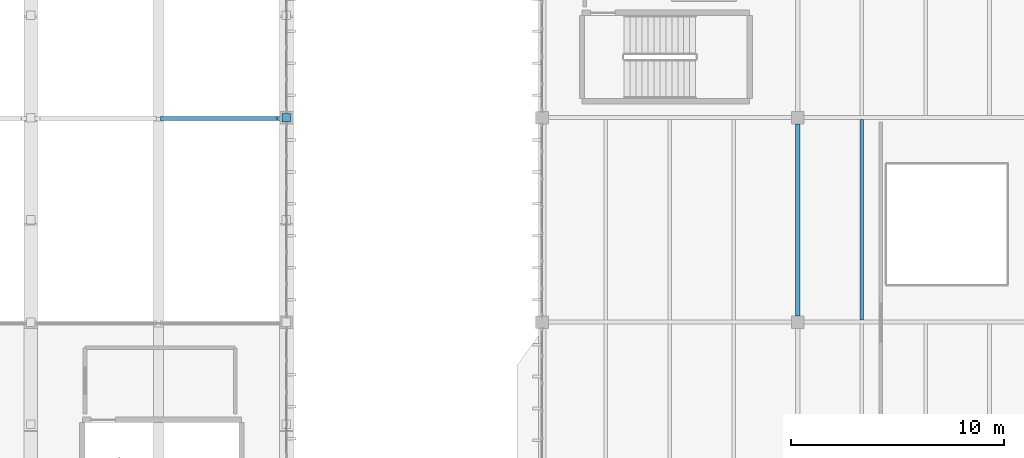
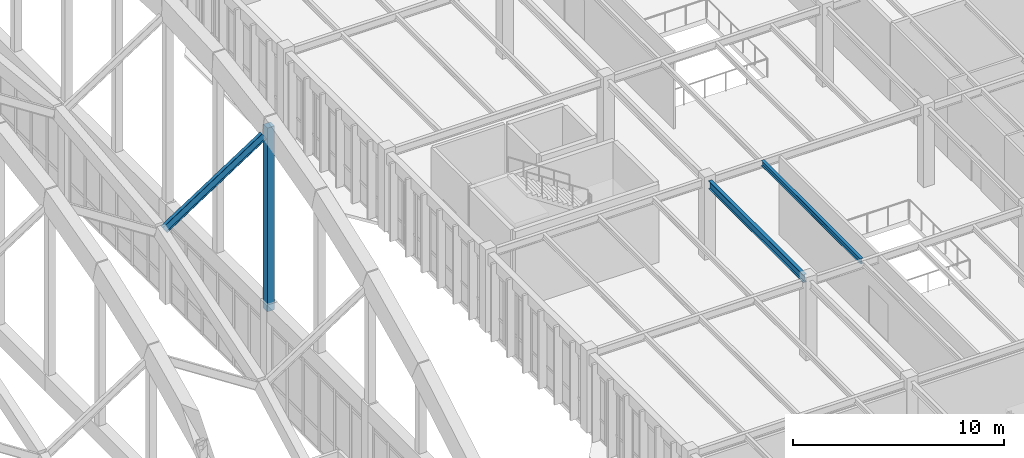
# One storey, part 135 of 236: 3 beams, 1 member.
"""IFC4 building model written with IfcOpenShell, lengths in metres."""

from ifc_helpers import new_model, si_unit, direction, frame, origin, origin_2d, place, context, subcontext, project, spatial, rectangle, i_section, extrude, material, material_profile, profile_set, type_object, element, save


model = new_model("IFC4")

# Units and contexts
model_context = context("Model", 3, precision=1e-05, world=origin(), true_north=direction((0.0, 1.0)))
body_context = subcontext(model_context, "Body", "Model", "MODEL_VIEW")
ifc_project = project(units=[si_unit("LENGTHUNIT", "METRE"), si_unit("AREAUNIT", "SQUARE_METRE"), si_unit("VOLUMEUNIT", "CUBIC_METRE"), si_unit("PLANEANGLEUNIT", "RADIAN"), si_unit("MASSUNIT", "GRAM", prefix="KILO")], contexts=[model_context])

# Site, building, storey
site_placement = place(None, origin())
site = spatial("IfcSite", under=ifc_project, at=site_placement, CompositionType="ELEMENT")
building_placement = place(site_placement, origin())
building = spatial("IfcBuilding", under=site, at=building_placement, Name="Pandanus Reach Market Hall", CompositionType="ELEMENT")
storey_placement = place(building_placement, frame((0.0, 0.0, 5.39990234375)))
storey = spatial("IfcBuildingStorey", under=building, at=storey_placement, Name="L01", CompositionType="ELEMENT", Elevation=5.39990234375)

# Member
ifc_material_1 = material(Name="Concrete N50 (50 MPa)", Category="concrete")
ifc_material_profile_1 = material_profile(ifc_material_1, rectangle(XDim=0.39990234375, YDim=0.39990234375, at=origin_2d()), Name="RC400x400", Category="LoadBearing")
ifc_profile_set_1 = profile_set([ifc_material_profile_1], Name="Concrete N50 (50 MPa)")
member_type = type_object("IfcMemberType", Name="AR-WEB400-E", PredefinedType="STRUT", material=ifc_profile_set_1)
member_placement = place(storey_placement, frame((132.0, 48.0, 5.3251953125), z_axis=(0.0, 0.0, 1.0), x_axis=(1.0, 0.0, 0.0)))
element("IfcMember", 1, at=member_placement, inside=storey, type_object=member_type, Name="Arch truss vertical web strut A8.4", PredefinedType="STRUT", context=body_context, shape_type="SweptSolid", body=[
    extrude(rectangle(XDim=0.39990234375, YDim=0.39990234375, at=origin_2d()), origin(), (0.0, 0.0, 1.0), 10.6328125),
])

# Beams
ifc_material_2 = material(Name="Steel Grade 350 (350 MPa)", Category="steel")
ifc_material_profile_2 = material_profile(ifc_material_2, i_section(OverallWidth=0.18994140625, OverallDepth=0.45703125, WebThickness=0.009033203125, FlangeThickness=0.014404296875, at=origin_2d()), Name="460UB74.6", Category="LoadBearing")
ifc_profile_set_2 = profile_set([ifc_material_profile_2], Name="Steel Grade 350 (350 MPa)")
beam_type_1 = type_object("IfcBeamType", Name="BM-UB460-I", PredefinedType="BEAM", material=ifc_profile_set_2)
beam_1_placement = place(storey_placement, frame((156.0, 38.697998046875, 4.311279296875), z_axis=(0.0, 1.0, 0.0), x_axis=(-1.0, 0.0, 0.0)))
element("IfcBeam", 2, at=beam_1_placement, inside=storey, type_object=beam_type_1, Name="Framing beam BM-UB460-I L01.348", PredefinedType="BEAM", context=body_context, shape_type="SweptSolid", body=[
    extrude(i_section(OverallWidth=0.18994140625, OverallDepth=0.45703125, WebThickness=0.009033203125, FlangeThickness=0.014404296875, at=origin_2d()), origin(), (0.0, 0.0, 1.0), 9.00390625),
])
beam_2_placement = place(storey_placement, frame((126.219970703125, 47.9599609375, 11.959228515625), z_axis=(0.839070527962, 0.0, 0.544022654956), x_axis=(0.0, 1.0, 0.0)))
element("IfcBeam", 3, at=beam_2_placement, inside=storey, type_object=beam_type_1, Name="Butterfly transverse rib B7.3R", PredefinedType="BEAM", context=body_context, shape_type="SweptSolid", body=[
    extrude(i_section(OverallWidth=0.18994140625, OverallDepth=0.45703125, WebThickness=0.009033203125, FlangeThickness=0.014404296875, at=origin_2d()), origin(), (0.0, 0.0, 1.0), 6.507080078125),
])
ifc_material_profile_3 = material_profile(ifc_material_2, i_section(OverallWidth=0.166015625, OverallDepth=0.306884765625, WebThickness=0.006591796875, FlangeThickness=0.01171875, at=origin_2d()), Name="310UB46.2", Category="LoadBearing")
ifc_profile_set_3 = profile_set([ifc_material_profile_3], Name="Steel Grade 350 (350 MPa)")
beam_type_2 = type_object("IfcBeamType", Name="JS-UB310H-I", PredefinedType="JOIST", material=ifc_profile_set_3)
beam_3_placement = place(storey_placement, frame((159.0, 38.492919921875, 4.38623046875), z_axis=(0.0, 1.0, 0.0), x_axis=(-1.0, 0.0, 0.0)))
element("IfcBeam", 4, at=beam_3_placement, inside=storey, type_object=beam_type_2, Name="Secondary joist JS-UB310H-I L01.402", PredefinedType="JOIST", context=body_context, shape_type="SweptSolid", body=[
    extrude(i_section(OverallWidth=0.166015625, OverallDepth=0.306884765625, WebThickness=0.006591796875, FlangeThickness=0.01171875, at=origin_2d()), origin(), (0.0, 0.0, 1.0), 9.4140625),
])

save(model, "model.ifc")
